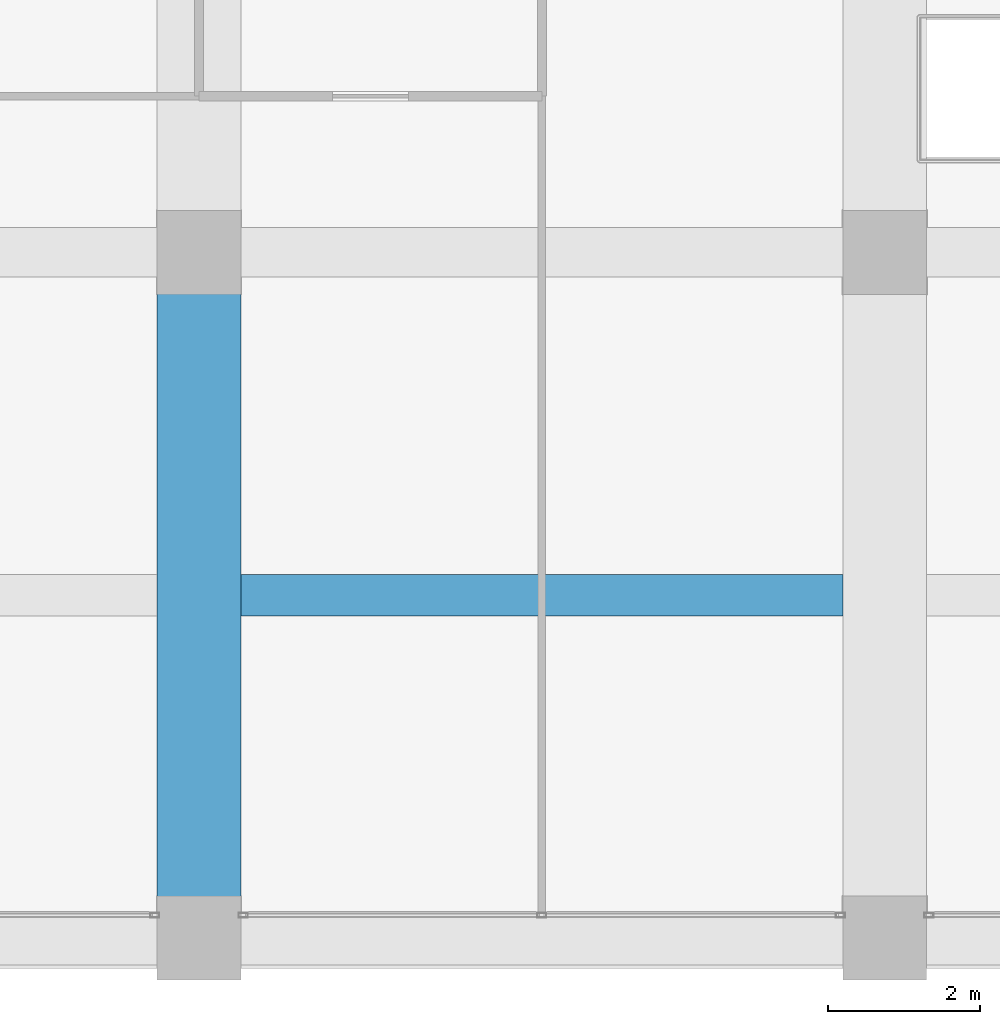
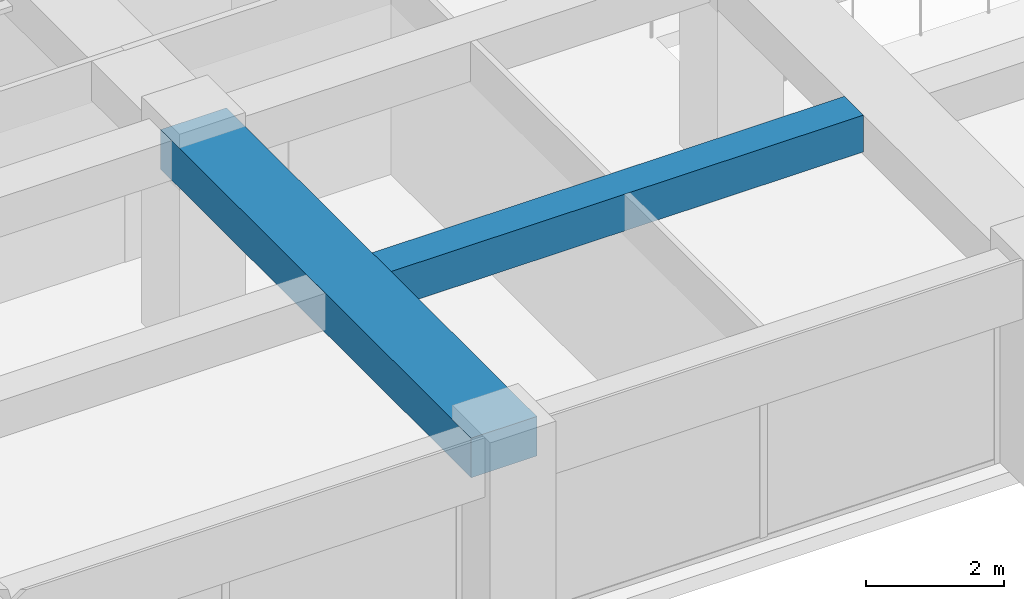
# One storey, part 10 of 44: 2 beams.
"""IFC4 building model written with IfcOpenShell, lengths in metres."""

from ifc_helpers import new_model, si_unit, direction, frame, origin, origin_2d, place, context, subcontext, project, spatial, rectangle, extrude, material, material_profile, profile_set, type_object, element, save


model = new_model("IFC4")

# Units and contexts
model_context = context("Model", 3, precision=1e-05, world=origin(), true_north=direction((0.0, 1.0)))
body_context = subcontext(model_context, "Body", "Model", "MODEL_VIEW")
ifc_project = project(units=[si_unit("LENGTHUNIT", "METRE"), si_unit("AREAUNIT", "SQUARE_METRE"), si_unit("VOLUMEUNIT", "CUBIC_METRE"), si_unit("PLANEANGLEUNIT", "RADIAN"), si_unit("MASSUNIT", "GRAM", prefix="KILO")], contexts=[model_context])

# Site, building, storey
site_placement = place(None, origin())
site = spatial("IfcSite", under=ifc_project, at=site_placement, CompositionType="ELEMENT")
building_placement = place(site_placement, origin())
building = spatial("IfcBuilding", under=site, at=building_placement, Name="Zorevar Civic Tower", CompositionType="ELEMENT")
storey_placement = place(building_placement, frame((0.0, 0.0, 255.39990234375)))
storey = spatial("IfcBuildingStorey", under=building, at=storey_placement, Name="L62", CompositionType="ELEMENT", Elevation=255.39990234375)

# Beams
ifc_material_1 = material(Name="Concrete C50/60", Category="concrete")
ifc_material_profile_1 = material_profile(ifc_material_1, rectangle(XDim=1.10009765625, YDim=0.699951171875, at=origin_2d()), Name="RC 1100x700")
ifc_profile_set_1 = profile_set([ifc_material_profile_1], Name="Concrete C50/60")
beam_type_1 = type_object("IfcBeamType", Name="Beam RC 1100x700", PredefinedType="BEAM", material=ifc_profile_set_1)
beam_1_placement = place(storey_placement, frame((27.0, 0.0, 3.400146484375), z_axis=(0.0, 1.0, 0.0), x_axis=(-1.0, 0.0, 0.0)))
element("IfcBeam", 1, at=beam_1_placement, inside=storey, type_object=beam_type_1, Name="Girder L63", PredefinedType="BEAM", context=body_context, shape_type="SweptSolid", body=[
    extrude(rectangle(XDim=1.10009765625, YDim=0.699951171875, at=origin_2d()), origin(), (0.0, 0.0, 1.0), 9.0),
])
ifc_material_2 = material(Name="Concrete C50/60", Category="concrete")
ifc_material_profile_2 = material_profile(ifc_material_2, rectangle(XDim=0.550048828125, YDim=0.64990234375, at=origin_2d()), Name="RC 550x650")
ifc_profile_set_2 = profile_set([ifc_material_profile_2], Name="Concrete C50/60")
beam_type_2 = type_object("IfcBeamType", Name="Beam RC 550x650", PredefinedType="BEAM", material=ifc_profile_set_2)
beam_2_placement = place(storey_placement, frame((27.550048828125, 4.5, 3.425048828125), z_axis=(1.0, 0.0, 0.0), x_axis=(0.0, 1.0, 0.0)))
element("IfcBeam", 2, at=beam_2_placement, inside=storey, type_object=beam_type_2, Name="Secondary beam L63", PredefinedType="BEAM", context=body_context, shape_type="SweptSolid", body=[
    extrude(rectangle(XDim=0.550048828125, YDim=0.64990234375, at=origin_2d()), origin(), (0.0, 0.0, 1.0), 7.89990234375),
])

save(model, "model.ifc")
